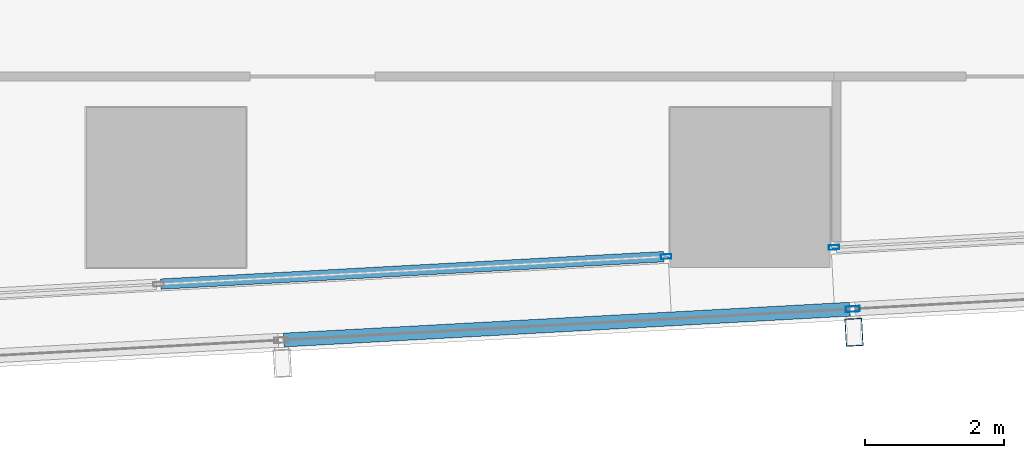
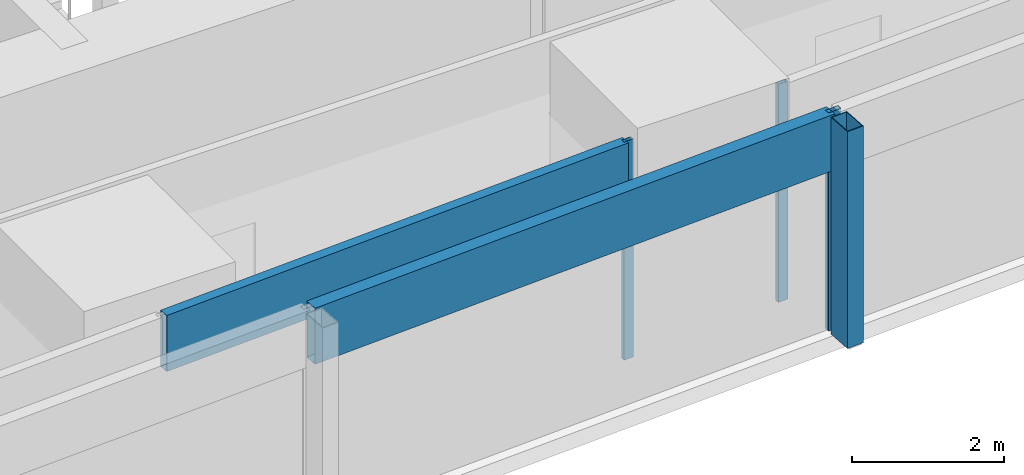
# One storey, part 9 of 32: 6 members, 3 elements without a shape of their own.
"""IFC4 building model written with IfcOpenShell, lengths in metres."""

from ifc_helpers import new_model, si_unit, direction, frame, origin, origin_2d, place, context, subcontext, project, spatial, hollow_rectangle, extrude, material, material_profile, profile_set, type_object, element, aggregate, save


model = new_model("IFC4")

# Units and contexts
model_context = context("Model", 3, precision=1e-05, world=origin(), true_north=direction((0.0, 1.0)))
body_context = subcontext(model_context, "Body", "Model", "MODEL_VIEW")
ifc_project = project(units=[si_unit("LENGTHUNIT", "METRE"), si_unit("AREAUNIT", "SQUARE_METRE"), si_unit("VOLUMEUNIT", "CUBIC_METRE"), si_unit("PLANEANGLEUNIT", "RADIAN"), si_unit("MASSUNIT", "GRAM", prefix="KILO")], contexts=[model_context])

# Site, building, storey
site_placement = place(None, origin())
site = spatial("IfcSite", under=ifc_project, at=site_placement, CompositionType="ELEMENT")
building_placement = place(site_placement, origin())
building = spatial("IfcBuilding", under=site, at=building_placement, Name="Rekha Terrace Tower", CompositionType="ELEMENT")
storey_placement = place(building_placement, frame((0.0, 0.0, 250.10009765625)))
storey = spatial("IfcBuildingStorey", under=building, at=storey_placement, Name="L63", CompositionType="ELEMENT", Elevation=250.10009765625)

# Curtain wall, member
ifc_material_1 = material(Name="Aluminium framing", Category="aluminium")
curtain_wall_type_1 = type_object("IfcCurtainWallType", Name="CW2 double skin outer glazing", PredefinedType="USERDEFINED", material=ifc_material_1)
curtain_wall_1_placement = place(storey_placement, origin())
curtain_wall_1 = element("IfcCurtainWall", 1, at=curtain_wall_1_placement, inside=storey, type_object=curtain_wall_type_1, Name="CW2 double skin outer glazing", ObjectType="DOUBLE SKIN OUTER GLAZING", PredefinedType="USERDEFINED")
ifc_material_2 = material(Name="Steel S355 with fluorocarbon finish", Category="steel")
ifc_material_profile_1 = material_profile(ifc_material_2, hollow_rectangle(XDim=0.25, YDim=0.39990234375, WallThickness=0.012451171875, at=origin_2d()), Name="RHS400x250x12.5")
ifc_profile_set_1 = profile_set([ifc_material_profile_1], Name="Steel S355 with fluorocarbon finish")
member_type_1 = type_object("IfcMemberType", Name="BL1 facade blade RHS 400 x 250", PredefinedType="USERDEFINED", material=ifc_profile_set_1)
member_1_placement = place(storey_placement, frame((51.894775390625, 14.719482421875, 0.02001953125), z_axis=(0.0, 0.0, 1.0), x_axis=(0.99851982155, 0.054389024366, 0.0)))
member_1 = element("IfcMember", 2, at=member_1_placement, type_object=member_type_1, Name="Facade blade", ObjectType="FACADE BLADE", PredefinedType="USERDEFINED", context=body_context, shape_type="SweptSolid", body=[
    extrude(hollow_rectangle(XDim=0.25, YDim=0.39990234375, WallThickness=0.012451171875, at=origin_2d()), origin(), (0.0, 0.0, 1.0), 3.47998046875),
])

curtain_wall_type_2 = type_object("IfcCurtainWallType", Name="CW1 double skin inner glazing", PredefinedType="USERDEFINED", material=ifc_material_1)
curtain_wall_2_placement = place(storey_placement, origin())
curtain_wall_2 = element("IfcCurtainWall", 3, at=curtain_wall_2_placement, inside=storey, type_object=curtain_wall_type_2, Name="CW1 double skin inner glazing", ObjectType="DOUBLE SKIN INNER GLAZING", PredefinedType="USERDEFINED")
ifc_material_3 = material(Name="Aluminium mullion section", Category="aluminium")
ifc_material_profile_2 = material_profile(ifc_material_3, hollow_rectangle(XDim=0.06494140625, YDim=0.14990234375, WallThickness=0.00390625, at=origin_2d()), Name="AL RHS 65x150")
ifc_profile_set_2 = profile_set([ifc_material_profile_2], Name="Aluminium mullion section")
member_type_2 = type_object("IfcMemberType", Name="CW1 mullion RHS 65 x 150", PredefinedType="MULLION", material=ifc_profile_set_2)
member_2_placement = place(storey_placement, frame((49.1923828125, 15.809326171875, 0.0), z_axis=(0.0, 0.0, 1.0), x_axis=(-0.054388903036, 0.998519828159, 0.0)))
member_2 = element("IfcMember", 4, at=member_2_placement, type_object=member_type_2, Name="CW1 mullion 4", PredefinedType="MULLION", context=body_context, shape_type="SweptSolid", body=[
    extrude(hollow_rectangle(XDim=0.06494140625, YDim=0.14990234375, WallThickness=0.00390625, at=origin_2d()), origin(), (0.0, 0.0, 1.0), 3.5),
])

curtain_wall_3_placement = place(storey_placement, origin())
curtain_wall_3 = element("IfcCurtainWall", 5, at=curtain_wall_3_placement, inside=storey, type_object=curtain_wall_type_2, Name="CW1 double skin inner glazing", ObjectType="DOUBLE SKIN INNER GLAZING", PredefinedType="USERDEFINED")
member_3_placement = place(storey_placement, frame((51.607666015625, 15.94091796875, 0.0), z_axis=(0.0, 0.0, 1.0), x_axis=(-0.054388903158, 0.998519828152, 0.0)))
member_3 = element("IfcMember", 6, at=member_3_placement, type_object=member_type_2, Name="CW1 mullion 1", PredefinedType="MULLION", context=body_context, shape_type="SweptSolid", body=[
    extrude(hollow_rectangle(XDim=0.06494140625, YDim=0.14990234375, WallThickness=0.00390625, at=origin_2d()), origin(), (0.0, 0.0, 1.0), 3.5),
])
aggregate(curtain_wall_3, [member_3])

# Member
ifc_material_4 = material(Name="Insulated aluminium spandrel box", Category="aluminium")
ifc_material_profile_3 = material_profile(ifc_material_4, hollow_rectangle(XDim=0.14990234375, YDim=0.89990234375, WallThickness=0.0029296875, at=origin_2d()), Name="AL SPANDREL BOX 150x900")
ifc_profile_set_3 = profile_set([ifc_material_profile_3], Name="Insulated aluminium spandrel box")
member_type_3 = type_object("IfcMemberType", Name="CW1 spandrel transom 150 x 900", PredefinedType="USERDEFINED", material=ifc_profile_set_3)
member_4_placement = place(storey_placement, frame((41.923095703125, 15.413330078125, 3.0498046875), z_axis=(0.99851907018, 0.054402816893, 0.0), x_axis=(-0.054402816893, 0.99851907018, 0.0)))
member_4 = element("IfcMember", 7, at=member_4_placement, type_object=member_type_3, Name="CW1 spandrel transom 3", ObjectType="TRANSOM", PredefinedType="USERDEFINED", context=body_context, shape_type="SweptSolid", body=[
    extrude(hollow_rectangle(XDim=0.14990234375, YDim=0.89990234375, WallThickness=0.0029296875, at=origin_2d()), origin(), (0.0, 0.0, 1.0), 7.24755859375),
])

aggregate(curtain_wall_2, [member_2, member_4])

ifc_material_profile_4 = material_profile(ifc_material_3, hollow_rectangle(XDim=0.080078125, YDim=0.199951171875, WallThickness=0.00390625, at=origin_2d()), Name="AL RHS 80x200")
ifc_profile_set_4 = profile_set([ifc_material_profile_4], Name="Aluminium mullion section")
member_type_4 = type_object("IfcMemberType", Name="CW2 mullion RHS 80 x 200", PredefinedType="MULLION", material=ifc_profile_set_4)
member_5_placement = place(storey_placement, frame((51.87646484375, 15.05419921875, 0.0), z_axis=(0.0, 0.0, 1.0), x_axis=(-0.054388903071, 0.998519828157, 0.0)))
member_5 = element("IfcMember", 8, at=member_5_placement, type_object=member_type_4, Name="CW2 mullion 4", PredefinedType="MULLION", context=body_context, shape_type="SweptSolid", body=[
    extrude(hollow_rectangle(XDim=0.080078125, YDim=0.199951171875, WallThickness=0.00390625, at=origin_2d()), origin(), (0.0, 0.0, 1.0), 3.5),
])

ifc_material_profile_5 = material_profile(ifc_material_4, hollow_rectangle(XDim=0.199951171875, YDim=0.89990234375, WallThickness=0.0029296875, at=origin_2d()), Name="AL SPANDREL BOX 200x900")
ifc_profile_set_5 = profile_set([ifc_material_profile_5], Name="Insulated aluminium spandrel box")
member_type_5 = type_object("IfcMemberType", Name="CW2 spandrel transom 200 x 900", PredefinedType="USERDEFINED", material=ifc_profile_set_5)
member_6_placement = place(storey_placement, frame((43.693115234375, 14.6083984375, 3.0498046875), z_axis=(0.998519642092, 0.054392318914, 0.0), x_axis=(-0.054392318914, 0.998519642092, 0.0)))
member_6 = element("IfcMember", 9, at=member_6_placement, type_object=member_type_5, Name="CW2 spandrel transom 3", ObjectType="TRANSOM", PredefinedType="USERDEFINED", context=body_context, shape_type="SweptSolid", body=[
    extrude(hollow_rectangle(XDim=0.199951171875, YDim=0.89990234375, WallThickness=0.0029296875, at=origin_2d()), origin(), (0.0, 0.0, 1.0), 8.155517578125),
])

aggregate(curtain_wall_1, [member_5, member_6, member_1])

save(model, "model.ifc")
